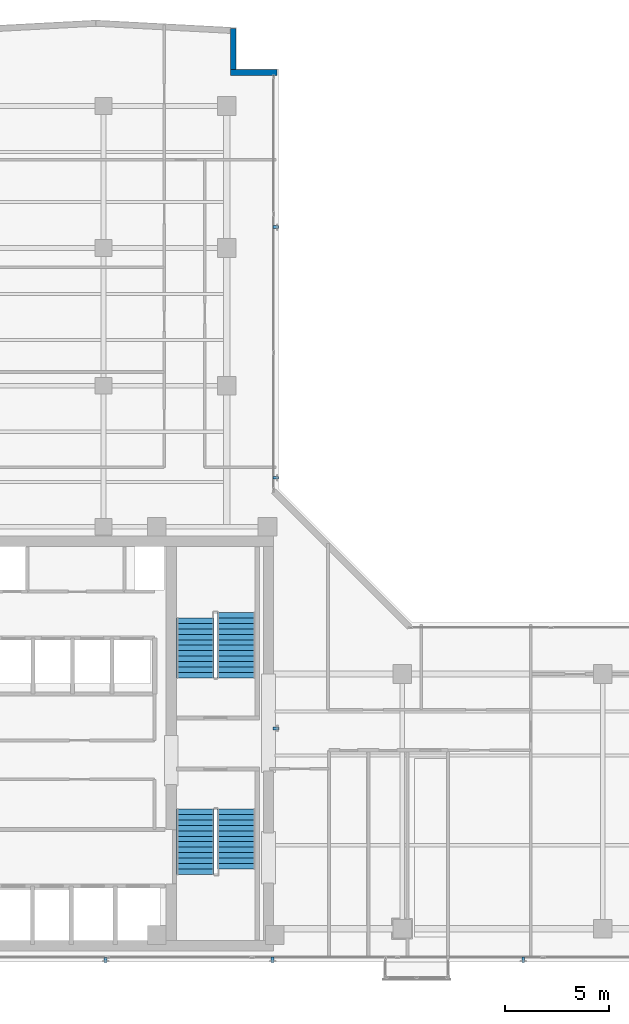
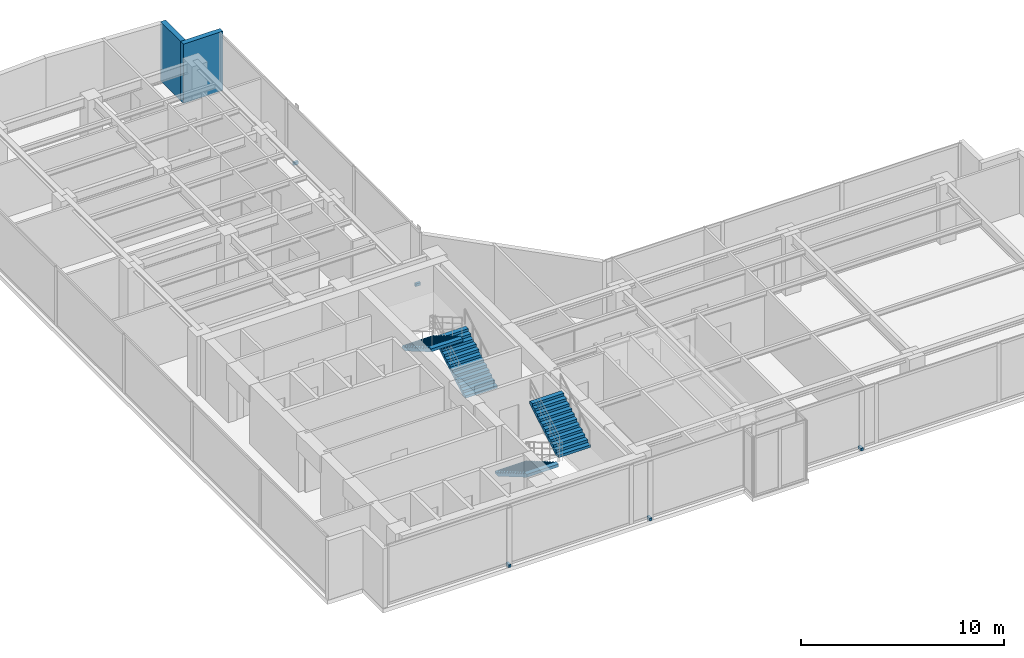
# One storey, part 19 of 22: 6 discrete accessories, 4 stair flights, 2 walls, 2 elements without a shape of their own.
"""IFC4 building model written with IfcOpenShell, lengths in metres."""

from ifc_helpers import new_model, si_unit, direction, frame, frame_2d, origin, origin_with_axes, origin_2d, place, context, subcontext, project, spatial, polyline, rectangle, outline, extrude, source, transform, mapped, material, layer, layer_set, type_object, element, aggregate, save


model = new_model("IFC4")

# Units and contexts
model_context = context("Model", 3, precision=1e-05, world=origin(), true_north=direction((0.0, 1.0)))
body_context = subcontext(model_context, "Body", "Model", "MODEL_VIEW")
ifc_project = project(units=[si_unit("LENGTHUNIT", "METRE"), si_unit("AREAUNIT", "SQUARE_METRE"), si_unit("VOLUMEUNIT", "CUBIC_METRE"), si_unit("PLANEANGLEUNIT", "RADIAN"), si_unit("MASSUNIT", "GRAM", prefix="KILO")], contexts=[model_context])

# Site, building, storey
site_placement = place(None, origin())
site = spatial("IfcSite", under=ifc_project, at=site_placement, CompositionType="ELEMENT")
building_placement = place(site_placement, origin())
building = spatial("IfcBuilding", under=site, at=building_placement, Name="Kolvaren Waterfront Exchange", CompositionType="ELEMENT")
storey_placement = place(building_placement, frame((0.0, 0.0, 308.39990234375)))
storey = spatial("IfcBuildingStorey", under=building, at=storey_placement, Name="L79", CompositionType="ELEMENT", Elevation=308.39990234375)

# Walls
ifc_material_1 = material(Name="Precast concrete C40/50", Category="concrete")
ifc_layer = layer(ifc_material_1, 0.280029296875, Name="Precast concrete C40/50")
ifc_layer_set = layer_set([ifc_layer], Name="Precast concrete C40/50")
wall_type = type_object("IfcWallType", Name="ARC-EXT-TERR-280", PredefinedType="SOLIDWALL", material=ifc_layer_set)
wall_1_placement = place(storey_placement, frame((18.9736328125, 46.197998046875, 0.0), z_axis=(0.0, 0.0, 1.0), x_axis=(1.0, 0.0, 0.0)))
element("IfcWall", 1, at=wall_1_placement, inside=storey, type_object=wall_type, Name="L79 notched corner spandrel pier NNE-A", PredefinedType="SOLIDWALL", context=body_context, shape_type="SweptSolid", body=[
    extrude(rectangle(XDim=2.239990234375, YDim=0.280029296875, at=frame_2d((1.1201171875, 0.0))), origin(), (0.0, 0.0, 1.0), 3.56005859375),
])
wall_2_placement = place(storey_placement, frame((19.11376953125, 46.337890625, 0.0), z_axis=(0.0, 0.0, 1.0), x_axis=(0.0, 1.0, 0.0)))
element("IfcWall", 2, at=wall_2_placement, inside=storey, type_object=wall_type, Name="L79 notched corner spandrel pier NNE-B", PredefinedType="SOLIDWALL", context=body_context, shape_type="SweptSolid", body=[
    extrude(rectangle(XDim=1.9599609375, YDim=0.280029296875, at=frame_2d((0.97998046875, 0.0))), origin(), (0.0, 0.0, 1.0), 3.56005859375),
])

# Stair, stair flights
ifc_material_2 = material(Name="Concrete C40/50", Category="concrete")
stair_type = type_object("IfcStairType", Name="ARC-STAIR-3800", PredefinedType="HALF_TURN_STAIR", material=ifc_material_2)
stair_1_placement = place(storey_placement, origin())
stair_1 = element("IfcStair", 3, at=stair_1_placement, inside=storey, type_object=stair_type, Name="L79 Smoke-proof exit stair ST1", PredefinedType="HALF_TURN_STAIR")
stair_flight_type = type_object("IfcStairFlightType", Name="ARC-FLIGHT-3800", PredefinedType="STRAIGHT", material=ifc_material_2)
stair_flight_1_placement = place(storey_placement, frame((17.300048828125, 10.929931640625, 0.0), z_axis=(0.0, 0.0, 1.0), x_axis=(0.0, -1.0, 0.0)))
stair_flight_1 = element("IfcStairFlight", 4, at=stair_flight_1_placement, type_object=stair_flight_type, Name="ST1 flight 1", NumberOfRisers=13, NumberOfTreads=12, PredefinedType="STRAIGHT", RiserHeight=0.152, TreadLength=0.26, context=body_context, shape_type="SweptSolid", body=[
    extrude(outline(polyline([(0.0, 0.0), (0.0, 0.152099609375), (0.260009765625, 0.152099609375), (0.260009765625, 0.303955078125), (0.52001953125, 0.303955078125), (0.52001953125, 0.4560546875), (0.780029296875, 0.4560546875), (0.780029296875, 0.60791015625), (1.0400390625, 0.60791015625), (1.0400390625, 0.760009765625), (1.300048828125, 0.760009765625), (1.300048828125, 0.912109375), (1.56005859375, 0.912109375), (1.56005859375, 1.06396484375), (1.820068359375, 1.06396484375), (1.820068359375, 1.216064453125), (2.080078125, 1.216064453125), (2.080078125, 1.367919921875), (2.340087890625, 1.367919921875), (2.340087890625, 1.52001953125), (2.60009765625, 1.52001953125), (2.60009765625, 1.672119140625), (2.860107421875, 1.672119140625), (2.860107421875, 1.823974609375), (3.1201171875, 1.823974609375), (3.1201171875, 1.97607421875), (3.1201171875, 1.650390625), (0.297119140625, 0.0), (0.0, 0.0)])), frame((0.0, 0.89990234375, 0.0), z_axis=(0.0, -1.0, 0.0), x_axis=(1.0, 0.0, 0.0)), (0.0, 0.0, 1.0), 1.800048828125),
])
stair_flight_2_placement = place(storey_placement, frame((19.260009765625, 8.070068359375, 1.97607421875), z_axis=(0.0, 0.0, 1.0), x_axis=(0.0, 1.0, 0.0)))
stair_flight_2 = element("IfcStairFlight", 5, at=stair_flight_2_placement, type_object=stair_flight_type, Name="ST1 flight 2", NumberOfRisers=12, NumberOfTreads=11, PredefinedType="STRAIGHT", RiserHeight=0.152, TreadLength=0.26, context=body_context, shape_type="SweptSolid", body=[
    extrude(outline(polyline([(0.0, 0.0), (0.0, 0.152099609375), (0.260009765625, 0.152099609375), (0.260009765625, 0.303955078125), (0.52001953125, 0.303955078125), (0.52001953125, 0.4560546875), (0.780029296875, 0.4560546875), (0.780029296875, 0.60791015625), (1.0400390625, 0.60791015625), (1.0400390625, 0.760009765625), (1.300048828125, 0.760009765625), (1.300048828125, 0.912109375), (1.56005859375, 0.912109375), (1.56005859375, 1.06396484375), (1.820068359375, 1.06396484375), (1.820068359375, 1.216064453125), (2.080078125, 1.216064453125), (2.080078125, 1.367919921875), (2.340087890625, 1.367919921875), (2.340087890625, 1.52001953125), (2.60009765625, 1.52001953125), (2.60009765625, 1.672119140625), (2.860107421875, 1.672119140625), (2.860107421875, 1.823974609375), (2.860107421875, 1.498291015625), (0.297119140625, 0.0), (0.0, 0.0)])), frame((0.0, 0.89990234375, 0.0), z_axis=(0.0, -1.0, 0.0), x_axis=(1.0, 0.0, 0.0)), (0.0, 0.0, 1.0), 1.800048828125),
])
aggregate(stair_1, [stair_flight_1, stair_flight_2])

stair_2_placement = place(storey_placement, origin())
stair_2 = element("IfcStair", 6, at=stair_2_placement, inside=storey, type_object=stair_type, Name="L79 Smoke-proof exit stair ST2", PredefinedType="HALF_TURN_STAIR")
stair_flight_3_placement = place(storey_placement, frame((19.260009765625, 17.219970703125, 0.0), z_axis=(0.0, 0.0, 1.0), x_axis=(0.0, 1.0, 0.0)))
stair_flight_3 = element("IfcStairFlight", 7, at=stair_flight_3_placement, type_object=stair_flight_type, Name="ST2 flight 1", NumberOfRisers=13, NumberOfTreads=12, PredefinedType="STRAIGHT", RiserHeight=0.152, TreadLength=0.26, context=body_context, shape_type="SweptSolid", body=[
    extrude(outline(polyline([(0.0, 0.0), (0.0, 0.152099609375), (0.260009765625, 0.152099609375), (0.260009765625, 0.303955078125), (0.52001953125, 0.303955078125), (0.52001953125, 0.4560546875), (0.780029296875, 0.4560546875), (0.780029296875, 0.60791015625), (1.0400390625, 0.60791015625), (1.0400390625, 0.760009765625), (1.300048828125, 0.760009765625), (1.300048828125, 0.912109375), (1.56005859375, 0.912109375), (1.56005859375, 1.06396484375), (1.820068359375, 1.06396484375), (1.820068359375, 1.216064453125), (2.080078125, 1.216064453125), (2.080078125, 1.367919921875), (2.340087890625, 1.367919921875), (2.340087890625, 1.52001953125), (2.60009765625, 1.52001953125), (2.60009765625, 1.672119140625), (2.860107421875, 1.672119140625), (2.860107421875, 1.823974609375), (3.1201171875, 1.823974609375), (3.1201171875, 1.97607421875), (3.1201171875, 1.650390625), (0.297119140625, 0.0), (0.0, 0.0)])), frame((0.0, 0.89990234375, 0.0), z_axis=(0.0, -1.0, 0.0), x_axis=(1.0, 0.0, 0.0)), (0.0, 0.0, 1.0), 1.800048828125),
])
stair_flight_4_placement = place(storey_placement, frame((17.300048828125, 20.080078125, 1.97607421875), z_axis=(0.0, 0.0, 1.0), x_axis=(0.0, -1.0, 0.0)))
stair_flight_4 = element("IfcStairFlight", 8, at=stair_flight_4_placement, type_object=stair_flight_type, Name="ST2 flight 2", NumberOfRisers=12, NumberOfTreads=11, PredefinedType="STRAIGHT", RiserHeight=0.152, TreadLength=0.26, context=body_context, shape_type="SweptSolid", body=[
    extrude(outline(polyline([(0.0, 0.0), (0.0, 0.152099609375), (0.260009765625, 0.152099609375), (0.260009765625, 0.303955078125), (0.52001953125, 0.303955078125), (0.52001953125, 0.4560546875), (0.780029296875, 0.4560546875), (0.780029296875, 0.60791015625), (1.0400390625, 0.60791015625), (1.0400390625, 0.760009765625), (1.300048828125, 0.760009765625), (1.300048828125, 0.912109375), (1.56005859375, 0.912109375), (1.56005859375, 1.06396484375), (1.820068359375, 1.06396484375), (1.820068359375, 1.216064453125), (2.080078125, 1.216064453125), (2.080078125, 1.367919921875), (2.340087890625, 1.367919921875), (2.340087890625, 1.52001953125), (2.60009765625, 1.52001953125), (2.60009765625, 1.672119140625), (2.860107421875, 1.672119140625), (2.860107421875, 1.823974609375), (2.860107421875, 1.498291015625), (0.297119140625, 0.0), (0.0, 0.0)])), frame((0.0, 0.89990234375, 0.0), z_axis=(0.0, -1.0, 0.0), x_axis=(1.0, 0.0, 0.0)), (0.0, 0.0, 1.0), 1.800048828125),
])
aggregate(stair_2, [stair_flight_3, stair_flight_4])

# Discrete accessories
ifc_material_3 = material(Name="Stainless steel 316", Category="steel")
discrete_accessory_type = type_object("IfcDiscreteAccessoryType", Name="ARC-BRK-FIN", PredefinedType="BRACKET", material=ifc_material_3)
shared_shape = source(origin_with_axes(), body_context, "Body", "SweptSolid", [
    extrude(rectangle(XDim=0.280029296875, YDim=0.139892578125, at=origin_2d()), origin(), (0.0, 0.0, 1.0), 0.159912109375),
])
for number, where, z_axis, x_axis, name in (
    (9, (13.0, 3.719970703125, 0.0), (0.0, 0.0, 1.0), (0.0, -1.0, 0.0), "L79 bronze fin anchor bracket FIN-L79-S1"),
    (10, (21.0, 3.719970703125, 0.0), (0.0, 0.0, 1.0), (0.0, -1.0, 0.0), "L79 bronze fin anchor bracket FIN-L79-S2"),
    (11, (33.0, 3.719970703125, 0.0), (0.0, 0.0, 1.0), (0.0, -1.0, 0.0), "L79 bronze fin anchor bracket FIN-L79-S3"),
    (12, (21.15380859375, 14.800048828125, 0.0), (0.0, 0.0, 1.0), (1.0, 0.0, 0.0), "L79 bronze fin anchor bracket FIN-L79-E1"),
    (13, (21.15380859375, 26.800048828125, 0.0), (0.0, 0.0, 1.0), (1.0, 0.0, 0.0), "L79 bronze fin anchor bracket FIN-L79-E2"),
    (14, (21.15380859375, 38.800048828125, 0.0), (0.0, 0.0, 1.0), (1.0, 0.0, 0.0), "L79 bronze fin anchor bracket FIN-L79-E3"),
):
    element("IfcDiscreteAccessory", number, at=place(storey_placement, frame(where, z_axis=z_axis, x_axis=x_axis)), inside=storey, type_object=discrete_accessory_type, Name=name, PredefinedType="BRACKET", context=body_context, shape_type="MappedRepresentation", body=[
        mapped(shared_shape, transform((0.0, 0.0, 0.0), x_axis=(1.0, 0.0, 0.0), y_axis=(0.0, 1.0, 0.0), z_axis=(0.0, 0.0, 1.0), scale=1.0)),
    ])

save(model, "model.ifc")
